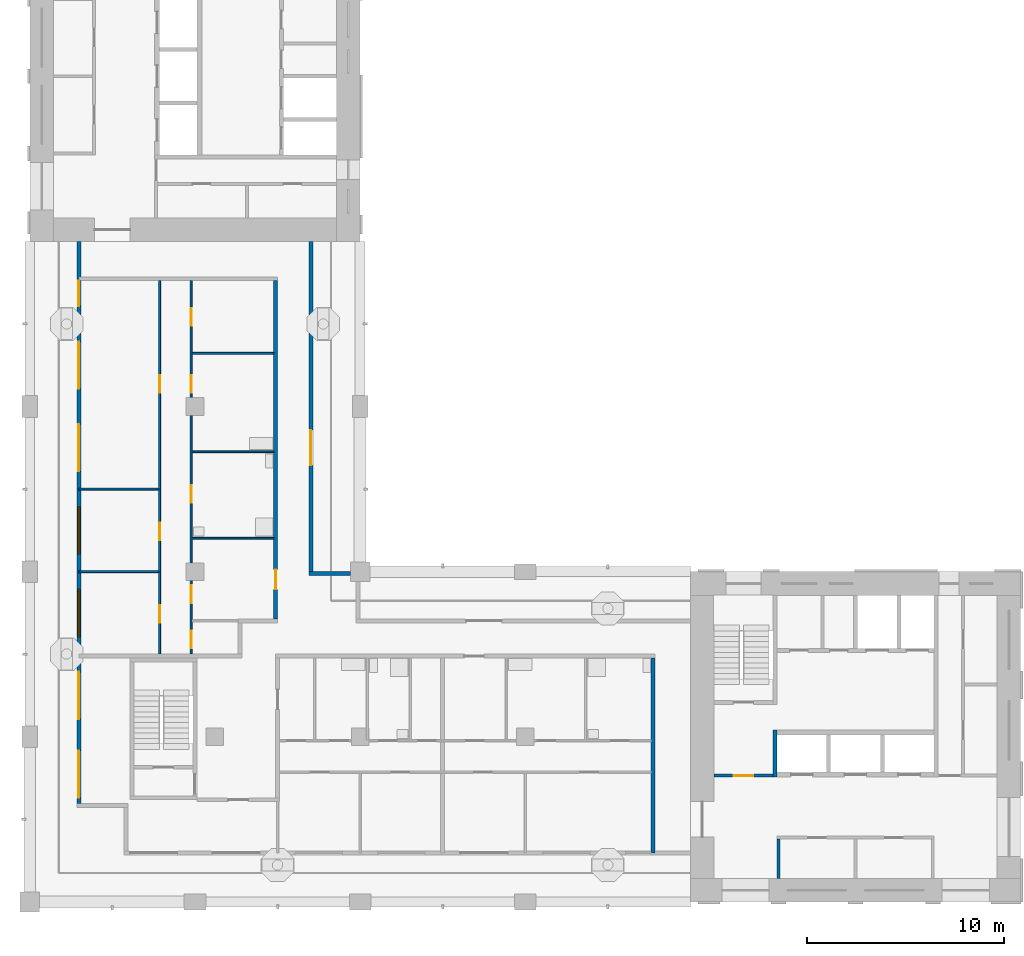
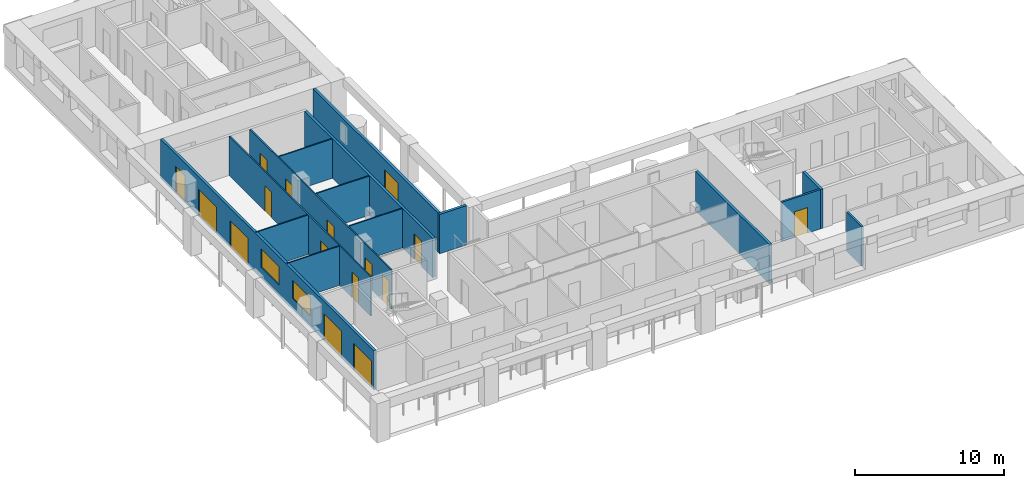
# One storey, part 3 of 11: 16 doors, 15 walls, 2 windows, 18 openings.
"""IFC4 building model written with IfcOpenShell, lengths in metres."""

from ifc_helpers import new_model, si_unit, direction, frame, frame_2d, origin, place, context, subcontext, project, spatial, rectangle, extrude, material, layer, layer_set, type_object, element, fill, save


model = new_model("IFC4")

# Units and contexts
model_context = context("Model", 3, precision=1e-05, world=origin(), true_north=direction((0.0, 1.0)))
body_context = subcontext(model_context, "Body", "Model", "MODEL_VIEW")
ifc_project = project(units=[si_unit("LENGTHUNIT", "METRE"), si_unit("AREAUNIT", "SQUARE_METRE"), si_unit("VOLUMEUNIT", "CUBIC_METRE"), si_unit("PLANEANGLEUNIT", "RADIAN"), si_unit("MASSUNIT", "GRAM", prefix="KILO")], contexts=[model_context])

# Site, building, storey
site_placement = place(None, origin())
site = spatial("IfcSite", under=ifc_project, at=site_placement, CompositionType="ELEMENT")
building_placement = place(site_placement, origin())
building = spatial("IfcBuilding", under=site, at=building_placement, Name="Vermilion Gate Residences", CompositionType="ELEMENT")
storey_placement = place(building_placement, frame((0.0, 0.0, 256.199951171875)))
storey = spatial("IfcBuildingStorey", under=building, at=storey_placement, Name="L67", CompositionType="ELEMENT", Elevation=256.199951171875)

# Wall
ifc_material_1 = material(Name="Masonry blockwork", Category="masonry")
ifc_layer_1 = layer(ifc_material_1, 0.14990234375)
ifc_layer_set_1 = layer_set([ifc_layer_1], Name="BLOCKWORK PARTITION 150 EI 120")
wall_type_1 = type_object("IfcWallType", Name="BLOCKWORK PARTITION 150 EI 120", PredefinedType="PARTITIONING", material=ifc_layer_set_1)
wall_1_placement = place(storey_placement, frame((46.47509765625, 9.60009765625, 0.0), z_axis=(0.0, 0.0, 1.0), x_axis=(0.0, 1.0, 0.0)))
element("IfcWall", 1, at=wall_1_placement, inside=storey, type_object=wall_type_1, Name="Core room partition A67-RW-W", PredefinedType="PARTITIONING", context=body_context, shape_type="SweptSolid", body=[
    extrude(rectangle(XDim=2.0, YDim=0.14990234375, at=frame_2d((1.0, 0.0))), origin(), (0.0, 0.0, 1.0), 3.219970703125),
])

# Wall, opening, door
wall_2_placement = place(storey_placement, frame((43.199951171875, 14.824951171875, 0.0), z_axis=(0.0, 0.0, 1.0), x_axis=(1.0, 0.0, 0.0)))
wall_2 = element("IfcWall", 2, at=wall_2_placement, inside=storey, type_object=wall_type_1, Name="Core room partition A67-VW-S", PredefinedType="PARTITIONING", context=body_context, shape_type="SweptSolid", body=[
    extrude(rectangle(XDim=3.0, YDim=0.14990234375, at=frame_2d((1.5, 0.0))), origin(), (0.0, 0.0, 1.0), 3.219970703125),
])
opening_1_placement = place(wall_2_placement, frame((1.0, 0.0, 0.0)))
opening_1 = element("IfcOpeningElement", 3, at=opening_1_placement, cuts=wall_2, Name="Opening DK67011", PredefinedType="OPENING", context=body_context, shape_type="SweptSolid", body=[
    extrude(rectangle(XDim=1.0, YDim=2.10009765625, at=frame_2d((0.5, 1.050048828125))), frame((0.0, 0.0849609375, 0.0), z_axis=(0.0, -1.0, 0.0), x_axis=(1.0, 0.0, 0.0)), (0.0, 0.0, 1.0), 0.169921875),
])
ifc_material_2 = material(Name="Steel", Category="steel")
door_type_1 = type_object("IfcDoorType", Name="FIRE DOOR FD60 1000 X 2100", OperationType="SINGLE_SWING_LEFT", PredefinedType="DOOR", material=ifc_material_2)
door_1_placement = place(opening_1_placement, frame((1.0, 0.0, 0.0), z_axis=(0.0, 0.0, 1.0), x_axis=(-1.0, 0.0, 0.0)))
door_1 = element("IfcDoor", 4, at=door_1_placement, inside=storey, type_object=door_type_1, Name="Stair vestibule door A67", OperationType="SINGLE_SWING_RIGHT", OverallHeight=2.10009765625, OverallWidth=1.0, PredefinedType="DOOR", context=body_context, shape_type="SweptSolid", body=[
    extrude(rectangle(XDim=1.0, YDim=2.10009765625, at=frame_2d((0.5, 1.050048828125))), frame((0.0, 0.02490234375, 0.0), z_axis=(0.0, -1.0, 0.0), x_axis=(1.0, 0.0, 0.0)), (0.0, 0.0, 1.0), 0.050048828125),
])
fill(opening_1, door_1)

# Wall, openings, doors, windows
ifc_material_3 = material(Name="Insulated steel stud wall with terracotta rainscreen", Category="masonry")
ifc_layer_2 = layer(ifc_material_3, 0.199951171875)
ifc_layer_set_2 = layer_set([ifc_layer_2], Name="EXTERNAL WALL 200 TERRACOTTA RAINSCREEN")
wall_type_2 = type_object("IfcWallType", Name="EXTERNAL WALL 200 TERRACOTTA RAINSCREEN", PredefinedType="SOLIDWALL", material=ifc_layer_set_2)
wall_3_placement = place(storey_placement, frame((10.89990234375, 42.0, 0.0), z_axis=(0.0, 0.0, 1.0), x_axis=(0.0, -1.0, 0.0)))
wall_3 = element("IfcWall", 5, at=wall_3_placement, inside=storey, type_object=wall_type_2, Name="External wall", PredefinedType="SOLIDWALL", context=body_context, shape_type="SweptSolid", body=[
    extrude(rectangle(XDim=28.60009765625, YDim=0.199951171875, at=frame_2d((14.300048828125, 0.0))), origin(), (0.0, 0.0, 1.0), 3.219970703125),
])
opening_2_placement = place(wall_3_placement, frame((25.89990234375, 0.0, 0.0)))
opening_2 = element("IfcOpeningElement", 6, at=opening_2_placement, cuts=wall_3, Name="Opening DE67001", PredefinedType="OPENING", context=body_context, shape_type="SweptSolid", body=[
    extrude(rectangle(XDim=2.39990234375, YDim=2.199951171875, at=frame_2d((1.199951171875, 1.10009765625))), frame((0.0, 0.10986328125, 0.0), z_axis=(0.0, -1.0, 0.0), x_axis=(1.0, 0.0, 0.0)), (0.0, 0.0, 1.0), 0.219970703125),
])
opening_3_placement = place(wall_3_placement, frame((21.89990234375, 0.0, 0.0)))
opening_3 = element("IfcOpeningElement", 7, at=opening_3_placement, cuts=wall_3, Name="Opening DE67002", PredefinedType="OPENING", context=body_context, shape_type="SweptSolid", body=[
    extrude(rectangle(XDim=2.39990234375, YDim=2.199951171875, at=frame_2d((1.199951171875, 1.10009765625))), frame((0.0, 0.10986328125, 0.0), z_axis=(0.0, -1.0, 0.0), x_axis=(1.0, 0.0, 0.0)), (0.0, 0.0, 1.0), 0.219970703125),
])
opening_4_placement = place(wall_3_placement, frame((17.699951171875, 0.0, 0.89990234375)))
opening_4 = element("IfcOpeningElement", 8, at=opening_4_placement, cuts=wall_3, Name="Opening WE67003", PredefinedType="OPENING", context=body_context, shape_type="SweptSolid", body=[
    extrude(rectangle(XDim=2.39990234375, YDim=1.5, at=frame_2d((1.199951171875, 0.75))), frame((0.0, 0.10986328125, 0.0), z_axis=(0.0, -1.0, 0.0), x_axis=(1.0, 0.0, 0.0)), (0.0, 0.0, 1.0), 0.219970703125),
])
opening_5_placement = place(wall_3_placement, frame((13.5, 0.0, 0.89990234375)))
opening_5 = element("IfcOpeningElement", 9, at=opening_5_placement, cuts=wall_3, Name="Opening WE67004", PredefinedType="OPENING", context=body_context, shape_type="SweptSolid", body=[
    extrude(rectangle(XDim=2.39990234375, YDim=1.5, at=frame_2d((1.199951171875, 0.75))), frame((0.0, 0.10986328125, 0.0), z_axis=(0.0, -1.0, 0.0), x_axis=(1.0, 0.0, 0.0)), (0.0, 0.0, 1.0), 0.219970703125),
])
opening_6_placement = place(wall_3_placement, frame((9.300048828125, 0.0, 0.0)))
opening_6 = element("IfcOpeningElement", 10, at=opening_6_placement, cuts=wall_3, Name="Opening DE67005", PredefinedType="OPENING", context=body_context, shape_type="SweptSolid", body=[
    extrude(rectangle(XDim=2.39990234375, YDim=2.199951171875, at=frame_2d((1.199951171875, 1.10009765625))), frame((0.0, 0.10986328125, 0.0), z_axis=(0.0, -1.0, 0.0), x_axis=(1.0, 0.0, 0.0)), (0.0, 0.0, 1.0), 0.219970703125),
])
opening_7_placement = place(wall_3_placement, frame((5.10009765625, 0.0, 0.0)))
opening_7 = element("IfcOpeningElement", 11, at=opening_7_placement, cuts=wall_3, Name="Opening DE67006", PredefinedType="OPENING", context=body_context, shape_type="SweptSolid", body=[
    extrude(rectangle(XDim=2.39990234375, YDim=2.199951171875, at=frame_2d((1.199951171875, 1.10009765625))), frame((0.0, 0.10986328125, 0.0), z_axis=(0.0, -1.0, 0.0), x_axis=(1.0, 0.0, 0.0)), (0.0, 0.0, 1.0), 0.219970703125),
])
opening_8_placement = place(wall_3_placement, frame((2.0, 0.0, 0.0)))
opening_8 = element("IfcOpeningElement", 12, at=opening_8_placement, cuts=wall_3, Name="Opening DE67007", PredefinedType="OPENING", context=body_context, shape_type="SweptSolid", body=[
    extrude(rectangle(XDim=1.300048828125, YDim=2.199951171875, at=frame_2d((0.64990234375, 1.10009765625))), frame((0.0, 0.10986328125, 0.0), z_axis=(0.0, -1.0, 0.0), x_axis=(1.0, 0.0, 0.0)), (0.0, 0.0, 1.0), 0.219970703125),
])
ifc_material_4 = material(Name="Aluminium and clear glass", Category="aluminium")
door_type_2 = type_object("IfcDoorType", Name="SLIDING GLAZED DOOR 1300 X 2200", OperationType="DOUBLE_DOOR_SLIDING", PredefinedType="DOOR", material=ifc_material_4)
door_2_placement = place(opening_8_placement, origin())
door_2 = element("IfcDoor", 13, at=door_2_placement, inside=storey, type_object=door_type_2, Name="Loggia sliding door", OperationType="DOUBLE_DOOR_SLIDING", OverallHeight=2.199951171875, OverallWidth=1.300048828125, PredefinedType="DOOR", context=body_context, shape_type="SweptSolid", body=[
    extrude(rectangle(XDim=1.300048828125, YDim=2.199951171875, at=frame_2d((0.64990234375, 1.10009765625))), frame((0.0, 0.02490234375, 0.0), z_axis=(0.0, -1.0, 0.0), x_axis=(1.0, 0.0, 0.0)), (0.0, 0.0, 1.0), 0.050048828125),
])
fill(opening_8, door_2)
ifc_material_5 = material(Name="Aluminium and clear glass", Category="aluminium")
door_type_3 = type_object("IfcDoorType", Name="SLIDING GLAZED DOOR 2400 X 2200", OperationType="DOUBLE_DOOR_SLIDING", PredefinedType="DOOR", material=ifc_material_5)
door_3_placement = place(opening_2_placement, origin())
door_3 = element("IfcDoor", 14, at=door_3_placement, inside=storey, type_object=door_type_3, Name="Loggia sliding door", OperationType="DOUBLE_DOOR_SLIDING", OverallHeight=2.199951171875, OverallWidth=2.39990234375, PredefinedType="DOOR", context=body_context, shape_type="SweptSolid", body=[
    extrude(rectangle(XDim=2.39990234375, YDim=2.199951171875, at=frame_2d((1.199951171875, 1.10009765625))), frame((0.0, 0.02490234375, 0.0), z_axis=(0.0, -1.0, 0.0), x_axis=(1.0, 0.0, 0.0)), (0.0, 0.0, 1.0), 0.050048828125),
])
fill(opening_2, door_3)
door_4_placement = place(opening_3_placement, origin())
door_4 = element("IfcDoor", 15, at=door_4_placement, inside=storey, type_object=door_type_3, Name="Loggia sliding door", OperationType="DOUBLE_DOOR_SLIDING", OverallHeight=2.199951171875, OverallWidth=2.39990234375, PredefinedType="DOOR", context=body_context, shape_type="SweptSolid", body=[
    extrude(rectangle(XDim=2.39990234375, YDim=2.199951171875, at=frame_2d((1.199951171875, 1.10009765625))), frame((0.0, 0.02490234375, 0.0), z_axis=(0.0, -1.0, 0.0), x_axis=(1.0, 0.0, 0.0)), (0.0, 0.0, 1.0), 0.050048828125),
])
fill(opening_3, door_4)
door_5_placement = place(opening_6_placement, origin())
door_5 = element("IfcDoor", 16, at=door_5_placement, inside=storey, type_object=door_type_3, Name="Loggia sliding door", OperationType="DOUBLE_DOOR_SLIDING", OverallHeight=2.199951171875, OverallWidth=2.39990234375, PredefinedType="DOOR", context=body_context, shape_type="SweptSolid", body=[
    extrude(rectangle(XDim=2.39990234375, YDim=2.199951171875, at=frame_2d((1.199951171875, 1.10009765625))), frame((0.0, 0.02490234375, 0.0), z_axis=(0.0, -1.0, 0.0), x_axis=(1.0, 0.0, 0.0)), (0.0, 0.0, 1.0), 0.050048828125),
])
fill(opening_6, door_5)
door_6_placement = place(opening_7_placement, origin())
door_6 = element("IfcDoor", 17, at=door_6_placement, inside=storey, type_object=door_type_3, Name="Loggia sliding door", OperationType="DOUBLE_DOOR_SLIDING", OverallHeight=2.199951171875, OverallWidth=2.39990234375, PredefinedType="DOOR", context=body_context, shape_type="SweptSolid", body=[
    extrude(rectangle(XDim=2.39990234375, YDim=2.199951171875, at=frame_2d((1.199951171875, 1.10009765625))), frame((0.0, 0.02490234375, 0.0), z_axis=(0.0, -1.0, 0.0), x_axis=(1.0, 0.0, 0.0)), (0.0, 0.0, 1.0), 0.050048828125),
])
fill(opening_7, door_6)
ifc_material_6 = material(Name="Aluminium and clear glass", Category="aluminium")
window_type = type_object("IfcWindowType", Name="WINDOW 2400 X 1500", PartitioningType="SINGLE_PANEL", PredefinedType="WINDOW", material=ifc_material_6)
window_1_placement = place(opening_4_placement, origin())
window_1 = element("IfcWindow", 18, at=window_1_placement, inside=storey, type_object=window_type, Name="Window", OverallHeight=1.5, OverallWidth=2.39990234375, PartitioningType="SINGLE_PANEL", PredefinedType="WINDOW", context=body_context, shape_type="SweptSolid", body=[
    extrude(rectangle(XDim=2.39990234375, YDim=1.5, at=frame_2d((1.199951171875, 0.75))), frame((0.0, 0.030029296875, 0.0), z_axis=(0.0, -1.0, 0.0), x_axis=(1.0, 0.0, 0.0)), (0.0, 0.0, 1.0), 0.06005859375),
])
fill(opening_4, window_1)
window_2_placement = place(opening_5_placement, origin())
window_2 = element("IfcWindow", 19, at=window_2_placement, inside=storey, type_object=window_type, Name="Window", OverallHeight=1.5, OverallWidth=2.39990234375, PartitioningType="SINGLE_PANEL", PredefinedType="WINDOW", context=body_context, shape_type="SweptSolid", body=[
    extrude(rectangle(XDim=2.39990234375, YDim=1.5, at=frame_2d((1.199951171875, 0.75))), frame((0.0, 0.030029296875, 0.0), z_axis=(0.0, -1.0, 0.0), x_axis=(1.0, 0.0, 0.0)), (0.0, 0.0, 1.0), 0.06005859375),
])
fill(opening_5, window_2)

# Wall
wall_4_placement = place(storey_placement, frame((24.699951171875, 25.10009765625, 0.0), z_axis=(0.0, 0.0, 1.0), x_axis=(-1.0, 0.0, 0.0)))
element("IfcWall", 20, at=wall_4_placement, inside=storey, type_object=wall_type_2, Name="External wall", PredefinedType="SOLIDWALL", context=body_context, shape_type="SweptSolid", body=[
    extrude(rectangle(XDim=2.099853515625, YDim=0.199951171875, at=frame_2d((1.0498046875, 0.0))), origin(), (0.0, 0.0, 1.0), 3.219970703125),
])

# Wall, opening, door
wall_5_placement = place(storey_placement, frame((22.699951171875, 25.199951171875, 0.0), z_axis=(0.0, 0.0, 1.0), x_axis=(0.0, 1.0, 0.0)))
wall_5 = element("IfcWall", 21, at=wall_5_placement, inside=storey, type_object=wall_type_2, Name="External wall", PredefinedType="SOLIDWALL", context=body_context, shape_type="SweptSolid", body=[
    extrude(rectangle(XDim=16.800048828125, YDim=0.199951171875, at=frame_2d((8.39990234375, 0.0))), origin(), (0.0, 0.0, 1.0), 3.219970703125),
])
opening_9_placement = place(wall_5_placement, frame((5.39990234375, 0.0, 0.0)))
opening_9 = element("IfcOpeningElement", 22, at=opening_9_placement, cuts=wall_5, Name="Opening DE67016", PredefinedType="OPENING", context=body_context, shape_type="SweptSolid", body=[
    extrude(rectangle(XDim=1.800048828125, YDim=2.39990234375, at=frame_2d((0.89990234375, 1.199951171875))), frame((0.0, 0.10986328125, 0.0), z_axis=(0.0, -1.0, 0.0), x_axis=(1.0, 0.0, 0.0)), (0.0, 0.0, 1.0), 0.219970703125),
])
ifc_material_7 = material(Name="Aluminium and clear glass", Category="aluminium")
door_type_4 = type_object("IfcDoorType", Name="GLAZED EXTERNAL DOOR 1800 X 2400", OperationType="DOUBLE_DOOR_SINGLE_SWING", PredefinedType="DOOR", material=ifc_material_7)
door_7_placement = place(opening_9_placement, frame((1.800048828125, 0.0, 0.0), z_axis=(0.0, 0.0, 1.0), x_axis=(-1.0, 0.0, 0.0)))
door_7 = element("IfcDoor", 23, at=door_7_placement, inside=storey, type_object=door_type_4, Name="Gallery door", OperationType="DOUBLE_DOOR_SINGLE_SWING", OverallHeight=2.39990234375, OverallWidth=1.800048828125, PredefinedType="DOOR", context=body_context, shape_type="SweptSolid", body=[
    extrude(rectangle(XDim=1.800048828125, YDim=2.39990234375, at=frame_2d((0.89990234375, 1.199951171875))), frame((0.0, 0.02490234375, 0.0), z_axis=(0.0, -1.0, 0.0), x_axis=(1.0, 0.0, 0.0)), (0.0, 0.0, 1.0), 0.050048828125),
])
fill(opening_9, door_7)

# Walls
ifc_material_8 = material(Name="Plasterboard on steel studs", Category="steel")
ifc_layer_3 = layer(ifc_material_8, 0.10009765625)
ifc_layer_set_3 = layer_set([ifc_layer_3], Name="PARTITION 100")
wall_type_3 = type_object("IfcWallType", Name="PARTITION 100", PredefinedType="PARTITIONING", material=ifc_layer_set_3)
wall_6_placement = place(storey_placement, frame((10.89990234375, 25.199951171875, 0.0), z_axis=(0.0, 0.0, 1.0), x_axis=(1.0, 0.0, 0.0)))
element("IfcWall", 24, at=wall_6_placement, inside=storey, type_object=wall_type_3, Name="Partition", PredefinedType="PARTITIONING", context=body_context, shape_type="SweptSolid", body=[
    extrude(rectangle(XDim=4.050048828125, YDim=0.10009765625, at=frame_2d((2.02490234375, 0.0))), origin(), (0.0, 0.0, 1.0), 3.219970703125),
])
wall_7_placement = place(storey_placement, frame((16.64990234375, 26.89990234375, 0.0), z_axis=(0.0, 0.0, 1.0), x_axis=(1.0, 0.0, 0.0)))
element("IfcWall", 25, at=wall_7_placement, inside=storey, type_object=wall_type_3, Name="Partition", PredefinedType="PARTITIONING", context=body_context, shape_type="SweptSolid", body=[
    extrude(rectangle(XDim=4.150146484375, YDim=0.10009765625, at=frame_2d((2.0751953125, 0.0))), origin(), (0.0, 0.0, 1.0), 3.219970703125),
])
wall_8_placement = place(storey_placement, frame((10.89990234375, 29.39990234375, 0.0), z_axis=(0.0, 0.0, 1.0), x_axis=(1.0, 0.0, 0.0)))
element("IfcWall", 26, at=wall_8_placement, inside=storey, type_object=wall_type_3, Name="Partition", PredefinedType="PARTITIONING", context=body_context, shape_type="SweptSolid", body=[
    extrude(rectangle(XDim=4.050048828125, YDim=0.10009765625, at=frame_2d((2.02490234375, 0.0))), origin(), (0.0, 0.0, 1.0), 3.219970703125),
])
for number, where, z_axis, x_axis, name in (
    (27, (16.64990234375, 31.300048828125, 0.0), (0.0, 0.0, 1.0), (1.0, 0.0, 0.0), "Partition"),
    (28, (16.64990234375, 36.300048828125, 0.0), (0.0, 0.0, 1.0), (1.0, 0.0, 0.0), "Partition"),
):
    element("IfcWall", number, at=place(storey_placement, frame(where, z_axis=z_axis, x_axis=x_axis)), inside=storey, type_object=wall_type_3, Name=name, PredefinedType="PARTITIONING", context=body_context, shape_type="SweptSolid", body=[
        extrude(rectangle(XDim=4.150146484375, YDim=0.10009765625, at=frame_2d((2.0751953125, 0.0))), origin(), (0.0, 0.0, 1.0), 3.219970703125),
    ])

# Wall, openings, doors
wall_9_placement = place(storey_placement, frame((15.0, 21.0, 0.0), z_axis=(0.0, 0.0, 1.0), x_axis=(0.0, 1.0, 0.0)))
wall_9 = element("IfcWall", 29, at=wall_9_placement, inside=storey, type_object=wall_type_3, Name="Partition", PredefinedType="PARTITIONING", context=body_context, shape_type="SweptSolid", body=[
    extrude(rectangle(XDim=19.0, YDim=0.10009765625, at=frame_2d((9.5, 0.0))), origin(), (0.0, 0.0, 1.0), 3.219970703125),
])
opening_10_placement = place(wall_9_placement, frame((1.60009765625, 0.0, 0.0)))
opening_10 = element("IfcOpeningElement", 30, at=opening_10_placement, cuts=wall_9, Name="Opening DA67014", PredefinedType="OPENING", context=body_context, shape_type="SweptSolid", body=[
    extrude(rectangle(XDim=0.89990234375, YDim=2.10009765625, at=frame_2d((0.449951171875, 1.050048828125))), frame((0.0, 0.06005859375, 0.0), z_axis=(0.0, -1.0, 0.0), x_axis=(1.0, 0.0, 0.0)), (0.0, 0.0, 1.0), 0.1201171875),
])
opening_11_placement = place(wall_9_placement, frame((5.800048828125, 0.0, 0.0)))
opening_11 = element("IfcOpeningElement", 31, at=opening_11_placement, cuts=wall_9, Name="Opening DA67015", PredefinedType="OPENING", context=body_context, shape_type="SweptSolid", body=[
    extrude(rectangle(XDim=0.89990234375, YDim=2.10009765625, at=frame_2d((0.449951171875, 1.050048828125))), frame((0.0, 0.06005859375, 0.0), z_axis=(0.0, -1.0, 0.0), x_axis=(1.0, 0.0, 0.0)), (0.0, 0.0, 1.0), 0.1201171875),
])
opening_12_placement = place(wall_9_placement, frame((13.300048828125, 0.0, 0.0)))
opening_12 = element("IfcOpeningElement", 32, at=opening_12_placement, cuts=wall_9, Name="Opening DA67016", PredefinedType="OPENING", context=body_context, shape_type="SweptSolid", body=[
    extrude(rectangle(XDim=0.89990234375, YDim=2.10009765625, at=frame_2d((0.449951171875, 1.050048828125))), frame((0.0, 0.06005859375, 0.0), z_axis=(0.0, -1.0, 0.0), x_axis=(1.0, 0.0, 0.0)), (0.0, 0.0, 1.0), 0.1201171875),
])
ifc_material_9 = material(Name="Timber", Category="wood")
door_type_5 = type_object("IfcDoorType", Name="INTERIOR DOOR 900 X 2100", OperationType="SINGLE_SWING_LEFT", PredefinedType="DOOR", material=ifc_material_9)
door_8_placement = place(opening_10_placement, origin())
door_8 = element("IfcDoor", 33, at=door_8_placement, inside=storey, type_object=door_type_5, Name="Interior door", OperationType="SINGLE_SWING_LEFT", OverallHeight=2.10009765625, OverallWidth=0.89990234375, PredefinedType="DOOR", context=body_context, shape_type="SweptSolid", body=[
    extrude(rectangle(XDim=0.89990234375, YDim=2.10009765625, at=frame_2d((0.449951171875, 1.050048828125))), frame((0.0, 0.02490234375, 0.0), z_axis=(0.0, -1.0, 0.0), x_axis=(1.0, 0.0, 0.0)), (0.0, 0.0, 1.0), 0.050048828125),
])
fill(opening_10, door_8)
door_9_placement = place(opening_11_placement, origin())
door_9 = element("IfcDoor", 34, at=door_9_placement, inside=storey, type_object=door_type_5, Name="Interior door", OperationType="SINGLE_SWING_LEFT", OverallHeight=2.10009765625, OverallWidth=0.89990234375, PredefinedType="DOOR", context=body_context, shape_type="SweptSolid", body=[
    extrude(rectangle(XDim=0.89990234375, YDim=2.10009765625, at=frame_2d((0.449951171875, 1.050048828125))), frame((0.0, 0.02490234375, 0.0), z_axis=(0.0, -1.0, 0.0), x_axis=(1.0, 0.0, 0.0)), (0.0, 0.0, 1.0), 0.050048828125),
])
fill(opening_11, door_9)
door_10_placement = place(opening_12_placement, origin())
door_10 = element("IfcDoor", 35, at=door_10_placement, inside=storey, type_object=door_type_5, Name="Interior door", OperationType="SINGLE_SWING_LEFT", OverallHeight=2.10009765625, OverallWidth=0.89990234375, PredefinedType="DOOR", context=body_context, shape_type="SweptSolid", body=[
    extrude(rectangle(XDim=0.89990234375, YDim=2.10009765625, at=frame_2d((0.449951171875, 1.050048828125))), frame((0.0, 0.02490234375, 0.0), z_axis=(0.0, -1.0, 0.0), x_axis=(1.0, 0.0, 0.0)), (0.0, 0.0, 1.0), 0.050048828125),
])
fill(opening_12, door_10)

wall_10_placement = place(storey_placement, frame((16.60009765625, 21.0, 0.0), z_axis=(0.0, 0.0, 1.0), x_axis=(0.0, 1.0, 0.0)))
wall_10 = element("IfcWall", 36, at=wall_10_placement, inside=storey, type_object=wall_type_3, Name="Partition", PredefinedType="PARTITIONING", context=body_context, shape_type="SweptSolid", body=[
    extrude(rectangle(XDim=19.0, YDim=0.10009765625, at=frame_2d((9.5, 0.0))), origin(), (0.0, 0.0, 1.0), 3.219970703125),
])
opening_13_placement = place(wall_10_placement, frame((2.60009765625, 0.0, 0.0)))
opening_13 = element("IfcOpeningElement", 37, at=opening_13_placement, cuts=wall_10, Name="Opening DA67017", PredefinedType="OPENING", context=body_context, shape_type="SweptSolid", body=[
    extrude(rectangle(XDim=0.89990234375, YDim=2.10009765625, at=frame_2d((0.449951171875, 1.050048828125))), frame((0.0, 0.06005859375, 0.0), z_axis=(0.0, -1.0, 0.0), x_axis=(1.0, 0.0, 0.0)), (0.0, 0.0, 1.0), 0.1201171875),
])
opening_14_placement = place(wall_10_placement, frame((0.300048828125, 0.0, 0.0)))
opening_14 = element("IfcOpeningElement", 38, at=opening_14_placement, cuts=wall_10, Name="Opening DA67018", PredefinedType="OPENING", context=body_context, shape_type="SweptSolid", body=[
    extrude(rectangle(XDim=0.89990234375, YDim=2.10009765625, at=frame_2d((0.449951171875, 1.050048828125))), frame((0.0, 0.06005859375, 0.0), z_axis=(0.0, -1.0, 0.0), x_axis=(1.0, 0.0, 0.0)), (0.0, 0.0, 1.0), 0.1201171875),
])
opening_15_placement = place(wall_10_placement, frame((7.699951171875, 0.0, 0.0)))
opening_15 = element("IfcOpeningElement", 39, at=opening_15_placement, cuts=wall_10, Name="Opening DA67019", PredefinedType="OPENING", context=body_context, shape_type="SweptSolid", body=[
    extrude(rectangle(XDim=0.89990234375, YDim=2.10009765625, at=frame_2d((0.449951171875, 1.050048828125))), frame((0.0, 0.06005859375, 0.0), z_axis=(0.0, -1.0, 0.0), x_axis=(1.0, 0.0, 0.0)), (0.0, 0.0, 1.0), 0.1201171875),
])
opening_16_placement = place(wall_10_placement, frame((13.300048828125, 0.0, 0.0)))
opening_16 = element("IfcOpeningElement", 40, at=opening_16_placement, cuts=wall_10, Name="Opening DA67020", PredefinedType="OPENING", context=body_context, shape_type="SweptSolid", body=[
    extrude(rectangle(XDim=0.89990234375, YDim=2.10009765625, at=frame_2d((0.449951171875, 1.050048828125))), frame((0.0, 0.06005859375, 0.0), z_axis=(0.0, -1.0, 0.0), x_axis=(1.0, 0.0, 0.0)), (0.0, 0.0, 1.0), 0.1201171875),
])
opening_17_placement = place(wall_10_placement, frame((16.699951171875, 0.0, 0.0)))
opening_17 = element("IfcOpeningElement", 41, at=opening_17_placement, cuts=wall_10, Name="Opening DA67021", PredefinedType="OPENING", context=body_context, shape_type="SweptSolid", body=[
    extrude(rectangle(XDim=0.89990234375, YDim=2.10009765625, at=frame_2d((0.449951171875, 1.050048828125))), frame((0.0, 0.06005859375, 0.0), z_axis=(0.0, -1.0, 0.0), x_axis=(1.0, 0.0, 0.0)), (0.0, 0.0, 1.0), 0.1201171875),
])
door_11_placement = place(opening_13_placement, frame((0.89990234375, 0.0, 0.0), z_axis=(0.0, 0.0, 1.0), x_axis=(-1.0, 0.0, 0.0)))
door_11 = element("IfcDoor", 42, at=door_11_placement, inside=storey, type_object=door_type_5, Name="Interior door", OperationType="SINGLE_SWING_LEFT", OverallHeight=2.10009765625, OverallWidth=0.89990234375, PredefinedType="DOOR", context=body_context, shape_type="SweptSolid", body=[
    extrude(rectangle(XDim=0.89990234375, YDim=2.10009765625, at=frame_2d((0.449951171875, 1.050048828125))), frame((0.0, 0.02490234375, 0.0), z_axis=(0.0, -1.0, 0.0), x_axis=(1.0, 0.0, 0.0)), (0.0, 0.0, 1.0), 0.050048828125),
])
fill(opening_13, door_11)
door_12_placement = place(opening_14_placement, frame((0.89990234375, 0.0, 0.0), z_axis=(0.0, 0.0, 1.0), x_axis=(-1.0, 0.0, 0.0)))
door_12 = element("IfcDoor", 43, at=door_12_placement, inside=storey, type_object=door_type_5, Name="Interior door", OperationType="SINGLE_SWING_RIGHT", OverallHeight=2.10009765625, OverallWidth=0.89990234375, PredefinedType="DOOR", context=body_context, shape_type="SweptSolid", body=[
    extrude(rectangle(XDim=0.89990234375, YDim=2.10009765625, at=frame_2d((0.449951171875, 1.050048828125))), frame((0.0, 0.02490234375, 0.0), z_axis=(0.0, -1.0, 0.0), x_axis=(1.0, 0.0, 0.0)), (0.0, 0.0, 1.0), 0.050048828125),
])
fill(opening_14, door_12)
door_13_placement = place(opening_15_placement, frame((0.89990234375, 0.0, 0.0), z_axis=(0.0, 0.0, 1.0), x_axis=(-1.0, 0.0, 0.0)))
door_13 = element("IfcDoor", 44, at=door_13_placement, inside=storey, type_object=door_type_5, Name="Interior door", OperationType="SINGLE_SWING_RIGHT", OverallHeight=2.10009765625, OverallWidth=0.89990234375, PredefinedType="DOOR", context=body_context, shape_type="SweptSolid", body=[
    extrude(rectangle(XDim=0.89990234375, YDim=2.10009765625, at=frame_2d((0.449951171875, 1.050048828125))), frame((0.0, 0.02490234375, 0.0), z_axis=(0.0, -1.0, 0.0), x_axis=(1.0, 0.0, 0.0)), (0.0, 0.0, 1.0), 0.050048828125),
])
fill(opening_15, door_13)
door_14_placement = place(opening_16_placement, frame((0.89990234375, 0.0, 0.0), z_axis=(0.0, 0.0, 1.0), x_axis=(-1.0, 0.0, 0.0)))
door_14 = element("IfcDoor", 45, at=door_14_placement, inside=storey, type_object=door_type_5, Name="Interior door", OperationType="SINGLE_SWING_RIGHT", OverallHeight=2.10009765625, OverallWidth=0.89990234375, PredefinedType="DOOR", context=body_context, shape_type="SweptSolid", body=[
    extrude(rectangle(XDim=0.89990234375, YDim=2.10009765625, at=frame_2d((0.449951171875, 1.050048828125))), frame((0.0, 0.02490234375, 0.0), z_axis=(0.0, -1.0, 0.0), x_axis=(1.0, 0.0, 0.0)), (0.0, 0.0, 1.0), 0.050048828125),
])
fill(opening_16, door_14)
door_15_placement = place(opening_17_placement, frame((0.89990234375, 0.0, 0.0), z_axis=(0.0, 0.0, 1.0), x_axis=(-1.0, 0.0, 0.0)))
door_15 = element("IfcDoor", 46, at=door_15_placement, inside=storey, type_object=door_type_5, Name="Interior door", OperationType="SINGLE_SWING_RIGHT", OverallHeight=2.10009765625, OverallWidth=0.89990234375, PredefinedType="DOOR", context=body_context, shape_type="SweptSolid", body=[
    extrude(rectangle(XDim=0.89990234375, YDim=2.10009765625, at=frame_2d((0.449951171875, 1.050048828125))), frame((0.0, 0.02490234375, 0.0), z_axis=(0.0, -1.0, 0.0), x_axis=(1.0, 0.0, 0.0)), (0.0, 0.0, 1.0), 0.050048828125),
])
fill(opening_17, door_15)

# Wall, opening, door
ifc_material_10 = material(Name="Fire-rated plasterboard on steel studs", Category="steel")
ifc_layer_4 = layer(ifc_material_10, 0.199951171875)
ifc_layer_set_4 = layer_set([ifc_layer_4], Name="PARTY WALL 200 EI 120")
wall_type_4 = type_object("IfcWallType", Name="PARTY WALL 200 EI 120", PredefinedType="PARTITIONING", material=ifc_layer_set_4)
wall_11_placement = place(storey_placement, frame((20.89990234375, 22.800048828125, 0.0), z_axis=(0.0, 0.0, 1.0), x_axis=(0.0, 1.0, 0.0)))
wall_11 = element("IfcWall", 47, at=wall_11_placement, inside=storey, type_object=wall_type_4, Name="Party and corridor wall", PredefinedType="PARTITIONING", context=body_context, shape_type="SweptSolid", body=[
    extrude(rectangle(XDim=17.199951171875, YDim=0.199951171875, at=frame_2d((8.60009765625, 0.0))), origin(), (0.0, 0.0, 1.0), 3.219970703125),
])
opening_18_placement = place(wall_11_placement, frame((1.5, 0.0, 0.0)))
opening_18 = element("IfcOpeningElement", 48, at=opening_18_placement, cuts=wall_11, Name="Opening DA67022", PredefinedType="OPENING", context=body_context, shape_type="SweptSolid", body=[
    extrude(rectangle(XDim=1.0, YDim=2.10009765625, at=frame_2d((0.5, 1.050048828125))), frame((0.0, 0.10986328125, 0.0), z_axis=(0.0, -1.0, 0.0), x_axis=(1.0, 0.0, 0.0)), (0.0, 0.0, 1.0), 0.219970703125),
])
ifc_material_11 = material(Name="Steel", Category="steel")
door_type_6 = type_object("IfcDoorType", Name="ENTRANCE DOOR 1000 X 2100 FD30", OperationType="SINGLE_SWING_LEFT", PredefinedType="DOOR", material=ifc_material_11)
door_16_placement = place(opening_18_placement, origin())
door_16 = element("IfcDoor", 49, at=door_16_placement, inside=storey, type_object=door_type_6, Name="Entrance door", OperationType="SINGLE_SWING_LEFT", OverallHeight=2.10009765625, OverallWidth=1.0, PredefinedType="DOOR", context=body_context, shape_type="SweptSolid", body=[
    extrude(rectangle(XDim=1.0, YDim=2.10009765625, at=frame_2d((0.5, 1.050048828125))), frame((0.0, 0.02490234375, 0.0), z_axis=(0.0, -1.0, 0.0), x_axis=(1.0, 0.0, 0.0)), (0.0, 0.0, 1.0), 0.050048828125),
])
fill(opening_18, door_16)

# Walls
wall_12_placement = place(storey_placement, frame((40.10009765625, 10.89990234375, 0.0), z_axis=(0.0, 0.0, 1.0), x_axis=(0.0, 1.0, 0.0)))
element("IfcWall", 50, at=wall_12_placement, inside=storey, type_object=wall_type_4, Name="Party and corridor wall", PredefinedType="PARTITIONING", context=body_context, shape_type="SweptSolid", body=[
    extrude(rectangle(XDim=9.900146484375, YDim=0.199951171875, at=frame_2d((4.9501953125, 0.0))), origin(), (0.0, 0.0, 1.0), 3.219970703125),
])
ifc_material_12 = material(Name="Concrete C60", Category="concrete")
ifc_layer_5 = layer(ifc_material_12, 0.199951171875)
ifc_layer_set_5 = layer_set([ifc_layer_5], Name="RC CORE INTERNAL WALL 200 C60")
wall_type_5 = type_object("IfcWallType", Name="RC CORE INTERNAL WALL 200 C60", PredefinedType="SHEAR", material=ifc_layer_set_5)
wall_13_placement = place(storey_placement, frame((46.300048828125, 14.75, 0.0), z_axis=(0.0, 0.0, 1.0), x_axis=(0.0, 1.0, 0.0)))
element("IfcWall", 51, at=wall_13_placement, inside=storey, type_object=wall_type_5, Name="Core internal wall A67-WDIV1", PredefinedType="SHEAR", context=body_context, shape_type="SweptSolid", body=[
    extrude(rectangle(XDim=2.39990234375, YDim=0.199951171875, at=frame_2d((1.199951171875, 0.0))), origin(), (0.0, 0.0, 1.0), 3.219970703125),
])

save(model, "model.ifc")
